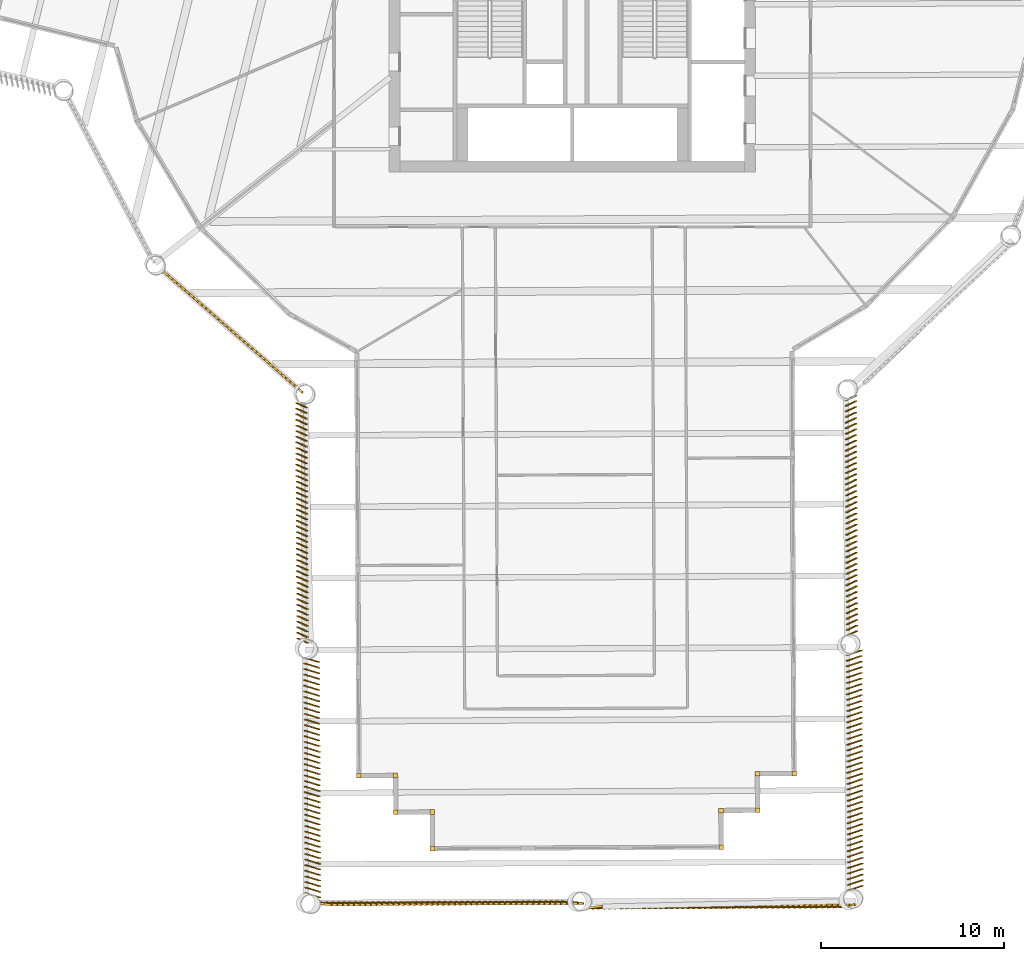
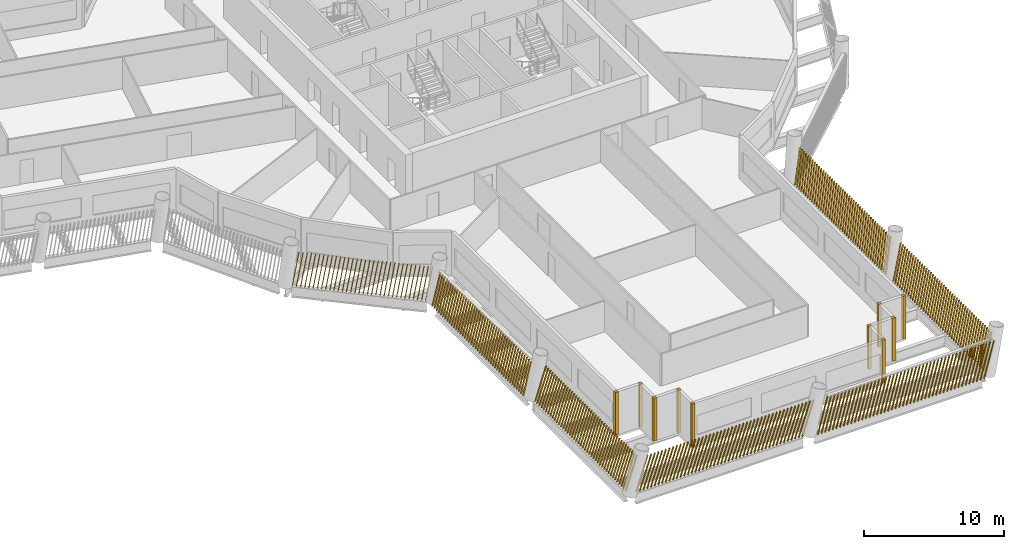
# One storey, part 11 of 15: 17 shading devices.
"""IFC4 building model written with IfcOpenShell, lengths in metres."""

import ifcopenshell
import ifcopenshell.guid

model = None  # the IFC model being written
_history = None  # IfcOwnerHistory: only IFC2X3 demands one
_inside = {}  # id of a spatial element -> (the spatial element, [elements in it])
_under = {}  # id of a project, library or spatial element -> (it, [spatial elements below it])
_declared = {}  # id of a project -> (the project, [libraries it declares])
_typed = {}  # id of a type object -> (the type object, [elements of that type])
_made_of = {}  # id of a material, layer set ... -> (it, [elements and type objects made of it])


def new_model(schema):
    """Start an empty IFC model of exactly this schema.

    Asked for "IFC4X3", IfcOpenShell would pick the latest addendum, in which some entities
    have other attributes; the version numbers below select the first issue.
    IFC2X3 requires an IfcOwnerHistory on every rooted entity: one is made here for all.
    """
    global model, _history
    if schema == "IFC4X3":
        model = ifcopenshell.file(schema_version=(4, 3, 0, 0))
    else:
        model = ifcopenshell.file(schema=schema)
    _inside.clear()
    _under.clear()
    _declared.clear()
    _typed.clear()
    _made_of.clear()
    _history = None
    if model.schema == "IFC2X3":
        org = make("IfcOrganization", Name="unknown")
        user = make(
            "IfcPersonAndOrganization",
            ThePerson=make("IfcPerson", FamilyName="unknown"),
            TheOrganization=org,
        )
        app = make(
            "IfcApplication",
            ApplicationDeveloper=org,
            Version="unknown",
            ApplicationFullName="unknown",
            ApplicationIdentifier="unknown",
        )
        _history = make(
            "IfcOwnerHistory",
            OwningUser=user,
            OwningApplication=app,
            ChangeAction="ADDED",
            CreationDate=0,
        )
    return model


def make(cls, **values):
    """One entity of the class cls with the attributes given. An attribute that is None is left unset."""
    return model.create_entity(
        cls, **{name: value for name, value in values.items() if value is not None}
    )


def rooted(cls, **values):
    """An entity with a GlobalId (a new one), such as an element, a storey or a relation."""
    return make(cls, GlobalId=ifcopenshell.guid.new(), OwnerHistory=_history, **values)


def si_unit(unit_type, name, prefix=None):
    """IfcSIUnit, for example si_unit("LENGTHUNIT", "METRE", prefix="MILLI")."""
    return make("IfcSIUnit", UnitType=unit_type, Prefix=prefix, Name=name)


def assignment(units):
    """IfcUnitAssignment: the units of a project."""
    return None if units is None else make("IfcUnitAssignment", Units=units)


def point(xyz):
    """IfcCartesianPoint."""
    return None if xyz is None else make("IfcCartesianPoint", Coordinates=xyz)


def direction(xyz):
    """IfcDirection."""
    return None if xyz is None else make("IfcDirection", DirectionRatios=xyz)


def frame(location, z_axis=None, x_axis=None):
    """IfcAxis2Placement3D, a coordinate frame: its origin and axes. An axis left out is left unset."""
    return make(
        "IfcAxis2Placement3D",
        Location=point(location),
        Axis=direction(z_axis),
        RefDirection=direction(x_axis),
    )


def frame_2d(location, x_axis=None):
    """IfcAxis2Placement2D, a coordinate frame in the plane: its origin and x axis."""
    return make(
        "IfcAxis2Placement2D", Location=point(location), RefDirection=direction(x_axis)
    )


def origin():
    """The frame at (0, 0, 0) with its axes left unset."""
    return frame((0.0, 0.0, 0.0))


def origin_2d():
    """The frame at (0, 0) in the plane with its x axis left unset."""
    return frame_2d((0.0, 0.0))


def place(relative_to, where):
    """IfcLocalPlacement: puts the frame where relative to a parent placement (None: the world)."""
    return make(
        "IfcLocalPlacement", PlacementRelTo=relative_to, RelativePlacement=where
    )


def context(
    kind, dimensions, precision=None, world=None, true_north=None, identifier=None
):
    """IfcGeometricRepresentationContext, for example the 3D "Model" context."""
    return make(
        "IfcGeometricRepresentationContext",
        ContextIdentifier=identifier,
        ContextType=kind,
        CoordinateSpaceDimension=dimensions,
        Precision=precision,
        WorldCoordinateSystem=world,
        TrueNorth=true_north,
    )


def subcontext(parent, identifier, kind, view, scale=None):
    """IfcGeometricRepresentationSubContext, for example "Body" below "Model"."""
    return make(
        "IfcGeometricRepresentationSubContext",
        ContextIdentifier=identifier,
        ContextType=kind,
        ParentContext=parent,
        TargetScale=scale,
        TargetView=view,
    )


def project(units=None, contexts=None):
    """IfcProject with its units and contexts."""
    return rooted(
        "IfcProject",
        Name="project",
        RepresentationContexts=contexts,
        UnitsInContext=assignment(units),
    )


def spatial(cls, under=None, at=None, **own):
    """A site, building, storey or space (cls), placed at a placement, below another one or the project."""
    s = rooted(cls, ObjectPlacement=at, **own)
    if under is not None:
        _under.setdefault(under.id(), (under, []))[1].append(s)
    return s


def profile(cls, at=None, kind="AREA", **sizes):
    """A parametric profile (cls). Its sizes go by their IFC names, for example OverallWidth=200.0."""
    return make(cls, ProfileType=kind, Position=at, **sizes)


def rectangle(**sizes):
    """IfcRectangleProfileDef."""
    return profile("IfcRectangleProfileDef", **sizes)


def composite_profile(profiles, kind="AREA"):
    """IfcCompositeProfileDef: several profiles as one."""
    return make("IfcCompositeProfileDef", ProfileType=kind, Profiles=profiles)


def extrude(swept, where, along, depth):
    """IfcExtrudedAreaSolid: the profile swept, set in the frame where, extruded along a direction by depth."""
    return make(
        "IfcExtrudedAreaSolid",
        SweptArea=swept,
        Position=where,
        ExtrudedDirection=direction(along),
        Depth=depth,
    )


def shape(context_of_items, identifier, shape_type, items):
    """IfcShapeRepresentation: the items that make up one representation, for example the "Body"."""
    return make(
        "IfcShapeRepresentation",
        ContextOfItems=context_of_items,
        RepresentationIdentifier=identifier,
        RepresentationType=shape_type,
        Items=items,
    )


def material(Name=None, Category=None):
    """IfcMaterial."""
    return make("IfcMaterial", Name=Name, Category=Category)


def made_of(thing, what):
    """Note that an element or type object is made of a material, layer set ...; save() writes the relation."""
    if what is not None:
        _made_of.setdefault(what.id(), (what, []))[1].append(thing)
    return thing


def type_object(cls, material=None, **own):
    """A type object (cls), such as IfcWallType, which elements share."""
    return made_of(rooted(cls, **own), material)


def element(
    cls,
    number,
    at=None,
    inside=None,
    cuts=None,
    type_object=None,
    material=None,
    context=None,
    identifier="Body",
    shape_type=None,
    held_by="IfcProductDefinitionShape",
    body=None,
    shapes=None,
    **own,
):
    """One element of the class cls, such as IfcWall. Its Tag is "e" and its number.

    at: its placement. inside: the storey or other place that contains it. cuts: it is an
    opening in that element (IfcRelVoidsElement). A single representation is given by context,
    identifier, shape_type and body (its items); several are given by shapes. held_by: the class
    of the entity that holds the representations. save() writes the other relations.
    """
    e = rooted(cls, Tag="e%d" % number, ObjectPlacement=at, **own)
    if body is not None:
        shapes = [shape(context, identifier, shape_type, body)]
    if shapes is not None:
        e.Representation = make(held_by, Representations=shapes)
    if inside is not None:
        _inside.setdefault(inside.id(), (inside, []))[1].append(e)
    if cuts is not None:
        rooted(
            "IfcRelVoidsElement", RelatingBuildingElement=cuts, RelatedOpeningElement=e
        )
    if type_object is not None:
        _typed.setdefault(type_object.id(), (type_object, []))[1].append(e)
    return made_of(e, material)


def aggregate(whole, parts):
    """IfcRelAggregates: a whole, such as a stair, and the parts it consists of."""
    return rooted("IfcRelAggregates", RelatingObject=whole, RelatedObjects=parts)


def save(model, path):
    """Write the relations noted so far, then the file.

    IfcRelAggregates (storeys below a building ...), IfcRelContainedInSpatialStructure (elements
    in a storey), IfcRelDefinesByType, IfcRelAssociatesMaterial and IfcRelDeclares: one each for
    every whole, place, type object, material and project.
    """
    for whole, parts in _under.values():
        aggregate(whole, parts)
    for where, things in _inside.values():
        rooted(
            "IfcRelContainedInSpatialStructure",
            RelatedElements=things,
            RelatingStructure=where,
        )
    for kind, things in _typed.values():
        rooted("IfcRelDefinesByType", RelatedObjects=things, RelatingType=kind)
    for what, things in _made_of.values():
        rooted("IfcRelAssociatesMaterial", RelatedObjects=things, RelatingMaterial=what)
    for by, libraries in _declared.values():
        rooted("IfcRelDeclares", RelatingContext=by, RelatedDefinitions=libraries)
    model.write(path)


model = new_model("IFC4")

# Units and contexts
model_context = context("Model", 3, precision=1e-05, world=origin(), true_north=direction((0.0, 1.0)))
body_context = subcontext(model_context, "Body", "Model", "MODEL_VIEW")
ifc_project = project(units=[si_unit("LENGTHUNIT", "METRE"), si_unit("AREAUNIT", "SQUARE_METRE"), si_unit("VOLUMEUNIT", "CUBIC_METRE"), si_unit("PLANEANGLEUNIT", "RADIAN"), si_unit("MASSUNIT", "GRAM", prefix="KILO")], contexts=[model_context])

# Site, building, storey
site_placement = place(None, origin())
site = spatial("IfcSite", under=ifc_project, at=site_placement, CompositionType="ELEMENT")
building_placement = place(site_placement, origin())
building = spatial("IfcBuilding", under=site, at=building_placement, Name="Tarsis Ring Headquarters", CompositionType="ELEMENT")
storey_placement = place(building_placement, frame((0.0, 0.0, 227.699951171875)))
storey = spatial("IfcBuildingStorey", under=building, at=storey_placement, Name="L53", CompositionType="ELEMENT", Elevation=227.699951171875)

# Shading devices
ifc_material = material(Name="Terracotta baguette", Category="masonry")
shading_device_type_1 = type_object("IfcShadingDeviceType", Name="Terracotta baguette screen", PredefinedType="USERDEFINED", material=ifc_material)
shading_device_1_placement = place(storey_placement, frame((-22.42578125, -18.323974609375, 0.0), z_axis=(0.0, 0.0, 1.0), x_axis=(0.754303560275, -0.656514678326, 0.0)))
element("IfcShadingDevice", 1, at=shading_device_1_placement, inside=storey, type_object=shading_device_type_1, Name="Baguette screen L53-00", ObjectType="Terracotta baguette screen", PredefinedType="USERDEFINED", context=body_context, shape_type="SweptSolid", body=[
    extrude(composite_profile([rectangle(XDim=0.06005859375, YDim=0.1201171875, at=frame_2d((0.030029296875, 0.0))), rectangle(XDim=0.06005859375, YDim=0.1201171875, at=frame_2d((0.33349609375, 0.0))), rectangle(XDim=0.06005859375, YDim=0.1201171875, at=frame_2d((0.636962890625, 0.0))), rectangle(XDim=0.06005859375, YDim=0.1201171875, at=frame_2d((0.9404296875, 0.0))), rectangle(XDim=0.06005859375, YDim=0.1201171875, at=frame_2d((1.243896484375, 0.0))), rectangle(XDim=0.06005859375, YDim=0.1201171875, at=frame_2d((1.54736328125, 0.0))), rectangle(XDim=0.06005859375, YDim=0.1201171875, at=frame_2d((1.85107421875, 0.0))), rectangle(XDim=0.06005859375, YDim=0.1201171875, at=frame_2d((2.154541015625, 0.0))), rectangle(XDim=0.06005859375, YDim=0.1201171875, at=frame_2d((2.4580078125, 0.0))), rectangle(XDim=0.06005859375, YDim=0.1201171875, at=frame_2d((2.761474609375, 0.0))), rectangle(XDim=0.06005859375, YDim=0.1201171875, at=frame_2d((3.06494140625, 0.0))), rectangle(XDim=0.06005859375, YDim=0.1201171875, at=frame_2d((3.368408203125, 0.0))), rectangle(XDim=0.06005859375, YDim=0.1201171875, at=frame_2d((3.671875, 0.0))), rectangle(XDim=0.06005859375, YDim=0.1201171875, at=frame_2d((3.975341796875, 0.0))), rectangle(XDim=0.06005859375, YDim=0.1201171875, at=frame_2d((4.27880859375, 0.0))), rectangle(XDim=0.06005859375, YDim=0.1201171875, at=frame_2d((4.582275390625, 0.0))), rectangle(XDim=0.06005859375, YDim=0.1201171875, at=frame_2d((4.8857421875, 0.0))), rectangle(XDim=0.06005859375, YDim=0.1201171875, at=frame_2d((5.189453125, 0.0))), rectangle(XDim=0.06005859375, YDim=0.1201171875, at=frame_2d((5.492919921875, 0.0))), rectangle(XDim=0.06005859375, YDim=0.1201171875, at=frame_2d((5.79638671875, 0.0))), rectangle(XDim=0.06005859375, YDim=0.1201171875, at=frame_2d((6.099853515625, 0.0))), rectangle(XDim=0.06005859375, YDim=0.1201171875, at=frame_2d((6.4033203125, 0.0))), rectangle(XDim=0.06005859375, YDim=0.1201171875, at=frame_2d((6.706787109375, 0.0))), rectangle(XDim=0.06005859375, YDim=0.1201171875, at=frame_2d((7.01025390625, 0.0))), rectangle(XDim=0.06005859375, YDim=0.1201171875, at=frame_2d((7.313720703125, 0.0))), rectangle(XDim=0.06005859375, YDim=0.1201171875, at=frame_2d((7.6171875, 0.0))), rectangle(XDim=0.06005859375, YDim=0.1201171875, at=frame_2d((7.920654296875, 0.0))), rectangle(XDim=0.06005859375, YDim=0.1201171875, at=frame_2d((8.224365234375, 0.0))), rectangle(XDim=0.06005859375, YDim=0.1201171875, at=frame_2d((8.52783203125, 0.0))), rectangle(XDim=0.06005859375, YDim=0.1201171875, at=frame_2d((8.831298828125, 0.0))), rectangle(XDim=0.06005859375, YDim=0.1201171875, at=frame_2d((9.134765625, 0.0))), rectangle(XDim=0.06005859375, YDim=0.1201171875, at=frame_2d((9.438232421875, 0.0))), rectangle(XDim=0.06005859375, YDim=0.1201171875, at=frame_2d((9.74169921875, 0.0)))]), origin(), (0.160031078948, 0.001340760949, 0.987111065752), 2.988525390625),
])
shading_device_2_placement = place(storey_placement, frame((-15.05029296875, -25.5693359375, 0.0), z_axis=(0.0, 0.0, 1.0), x_axis=(0.004900847714, -0.999981077808, 0.0)))
element("IfcShadingDevice", 2, at=shading_device_2_placement, inside=storey, type_object=shading_device_type_1, Name="Baguette screen L53-01", ObjectType="Terracotta baguette screen", PredefinedType="USERDEFINED", context=body_context, shape_type="SweptSolid", body=[
    extrude(composite_profile([rectangle(XDim=0.06005859375, YDim=0.1201171875, at=frame_2d((0.030029296875, 0.0))), rectangle(XDim=0.06005859375, YDim=0.1201171875, at=frame_2d((0.335693359375, 0.0))), rectangle(XDim=0.06005859375, YDim=0.1201171875, at=frame_2d((0.6416015625, 0.0))), rectangle(XDim=0.06005859375, YDim=0.1201171875, at=frame_2d((0.947265625, 0.0))), rectangle(XDim=0.06005859375, YDim=0.1201171875, at=frame_2d((1.253173828125, 0.0))), rectangle(XDim=0.06005859375, YDim=0.1201171875, at=frame_2d((1.558837890625, 0.0))), rectangle(XDim=0.06005859375, YDim=0.1201171875, at=frame_2d((1.864501953125, 0.0))), rectangle(XDim=0.06005859375, YDim=0.1201171875, at=frame_2d((2.17041015625, 0.0))), rectangle(XDim=0.06005859375, YDim=0.1201171875, at=frame_2d((2.47607421875, 0.0))), rectangle(XDim=0.06005859375, YDim=0.1201171875, at=frame_2d((2.781982421875, 0.0))), rectangle(XDim=0.06005859375, YDim=0.1201171875, at=frame_2d((3.087646484375, 0.0))), rectangle(XDim=0.06005859375, YDim=0.1201171875, at=frame_2d((3.393310546875, 0.0))), rectangle(XDim=0.06005859375, YDim=0.1201171875, at=frame_2d((3.69921875, 0.0))), rectangle(XDim=0.06005859375, YDim=0.1201171875, at=frame_2d((4.0048828125, 0.0))), rectangle(XDim=0.06005859375, YDim=0.1201171875, at=frame_2d((4.310791015625, 0.0))), rectangle(XDim=0.06005859375, YDim=0.1201171875, at=frame_2d((4.616455078125, 0.0))), rectangle(XDim=0.06005859375, YDim=0.1201171875, at=frame_2d((4.922119140625, 0.0))), rectangle(XDim=0.06005859375, YDim=0.1201171875, at=frame_2d((5.22802734375, 0.0))), rectangle(XDim=0.06005859375, YDim=0.1201171875, at=frame_2d((5.53369140625, 0.0))), rectangle(XDim=0.06005859375, YDim=0.1201171875, at=frame_2d((5.839599609375, 0.0))), rectangle(XDim=0.06005859375, YDim=0.1201171875, at=frame_2d((6.145263671875, 0.0))), rectangle(XDim=0.06005859375, YDim=0.1201171875, at=frame_2d((6.451171875, 0.0))), rectangle(XDim=0.06005859375, YDim=0.1201171875, at=frame_2d((6.7568359375, 0.0))), rectangle(XDim=0.06005859375, YDim=0.1201171875, at=frame_2d((7.0625, 0.0))), rectangle(XDim=0.06005859375, YDim=0.1201171875, at=frame_2d((7.368408203125, 0.0))), rectangle(XDim=0.06005859375, YDim=0.1201171875, at=frame_2d((7.674072265625, 0.0))), rectangle(XDim=0.06005859375, YDim=0.1201171875, at=frame_2d((7.97998046875, 0.0))), rectangle(XDim=0.06005859375, YDim=0.1201171875, at=frame_2d((8.28564453125, 0.0))), rectangle(XDim=0.06005859375, YDim=0.1201171875, at=frame_2d((8.59130859375, 0.0))), rectangle(XDim=0.06005859375, YDim=0.1201171875, at=frame_2d((8.897216796875, 0.0))), rectangle(XDim=0.06005859375, YDim=0.1201171875, at=frame_2d((9.202880859375, 0.0))), rectangle(XDim=0.06005859375, YDim=0.1201171875, at=frame_2d((9.5087890625, 0.0))), rectangle(XDim=0.06005859375, YDim=0.1201171875, at=frame_2d((9.814453125, 0.0))), rectangle(XDim=0.06005859375, YDim=0.1201171875, at=frame_2d((10.1201171875, 0.0))), rectangle(XDim=0.06005859375, YDim=0.1201171875, at=frame_2d((10.426025390625, 0.0))), rectangle(XDim=0.06005859375, YDim=0.1201171875, at=frame_2d((10.731689453125, 0.0))), rectangle(XDim=0.06005859375, YDim=0.1201171875, at=frame_2d((11.03759765625, 0.0))), rectangle(XDim=0.06005859375, YDim=0.1201171875, at=frame_2d((11.34326171875, 0.0))), rectangle(XDim=0.06005859375, YDim=0.1201171875, at=frame_2d((11.64892578125, 0.0))), rectangle(XDim=0.06005859375, YDim=0.1201171875, at=frame_2d((11.954833984375, 0.0))), rectangle(XDim=0.06005859375, YDim=0.1201171875, at=frame_2d((12.260498046875, 0.0))), rectangle(XDim=0.06005859375, YDim=0.1201171875, at=frame_2d((12.56640625, 0.0))), rectangle(XDim=0.06005859375, YDim=0.1201171875, at=frame_2d((12.8720703125, 0.0)))]), origin(), (0.083010563833, 0.178594537893, 0.980414829206), 3.0087890625),
])
shading_device_3_placement = place(storey_placement, frame((-14.607177734375, -39.4697265625, 0.0), z_axis=(0.0, 0.0, 1.0), x_axis=(0.004882017901, -0.99998107745, 0.0)))
element("IfcShadingDevice", 3, at=shading_device_3_placement, inside=storey, type_object=shading_device_type_1, Name="Baguette screen L53-02", ObjectType="Terracotta baguette screen", PredefinedType="USERDEFINED", context=body_context, shape_type="SweptSolid", body=[
    extrude(composite_profile([rectangle(XDim=0.06005859375, YDim=0.1201171875, at=frame_2d((0.030029296875, 0.0))), rectangle(XDim=0.06005859375, YDim=0.1201171875, at=frame_2d((0.335693359375, 0.0))), rectangle(XDim=0.06005859375, YDim=0.1201171875, at=frame_2d((0.6416015625, 0.0))), rectangle(XDim=0.06005859375, YDim=0.1201171875, at=frame_2d((0.947265625, 0.0))), rectangle(XDim=0.06005859375, YDim=0.1201171875, at=frame_2d((1.253173828125, 0.0))), rectangle(XDim=0.06005859375, YDim=0.1201171875, at=frame_2d((1.558837890625, 0.0))), rectangle(XDim=0.06005859375, YDim=0.1201171875, at=frame_2d((1.864501953125, 0.0))), rectangle(XDim=0.06005859375, YDim=0.1201171875, at=frame_2d((2.17041015625, 0.0))), rectangle(XDim=0.06005859375, YDim=0.1201171875, at=frame_2d((2.47607421875, 0.0))), rectangle(XDim=0.06005859375, YDim=0.1201171875, at=frame_2d((2.781982421875, 0.0))), rectangle(XDim=0.06005859375, YDim=0.1201171875, at=frame_2d((3.087646484375, 0.0))), rectangle(XDim=0.06005859375, YDim=0.1201171875, at=frame_2d((3.393310546875, 0.0))), rectangle(XDim=0.06005859375, YDim=0.1201171875, at=frame_2d((3.69921875, 0.0))), rectangle(XDim=0.06005859375, YDim=0.1201171875, at=frame_2d((4.0048828125, 0.0))), rectangle(XDim=0.06005859375, YDim=0.1201171875, at=frame_2d((4.310791015625, 0.0))), rectangle(XDim=0.06005859375, YDim=0.1201171875, at=frame_2d((4.616455078125, 0.0))), rectangle(XDim=0.06005859375, YDim=0.1201171875, at=frame_2d((4.922119140625, 0.0))), rectangle(XDim=0.06005859375, YDim=0.1201171875, at=frame_2d((5.22802734375, 0.0))), rectangle(XDim=0.06005859375, YDim=0.1201171875, at=frame_2d((5.53369140625, 0.0))), rectangle(XDim=0.06005859375, YDim=0.1201171875, at=frame_2d((5.839599609375, 0.0))), rectangle(XDim=0.06005859375, YDim=0.1201171875, at=frame_2d((6.145263671875, 0.0))), rectangle(XDim=0.06005859375, YDim=0.1201171875, at=frame_2d((6.451171875, 0.0))), rectangle(XDim=0.06005859375, YDim=0.1201171875, at=frame_2d((6.7568359375, 0.0))), rectangle(XDim=0.06005859375, YDim=0.1201171875, at=frame_2d((7.0625, 0.0))), rectangle(XDim=0.06005859375, YDim=0.1201171875, at=frame_2d((7.368408203125, 0.0))), rectangle(XDim=0.06005859375, YDim=0.1201171875, at=frame_2d((7.674072265625, 0.0))), rectangle(XDim=0.06005859375, YDim=0.1201171875, at=frame_2d((7.97998046875, 0.0))), rectangle(XDim=0.06005859375, YDim=0.1201171875, at=frame_2d((8.28564453125, 0.0))), rectangle(XDim=0.06005859375, YDim=0.1201171875, at=frame_2d((8.59130859375, 0.0))), rectangle(XDim=0.06005859375, YDim=0.1201171875, at=frame_2d((8.897216796875, 0.0))), rectangle(XDim=0.06005859375, YDim=0.1201171875, at=frame_2d((9.202880859375, 0.0))), rectangle(XDim=0.06005859375, YDim=0.1201171875, at=frame_2d((9.5087890625, 0.0))), rectangle(XDim=0.06005859375, YDim=0.1201171875, at=frame_2d((9.814453125, 0.0))), rectangle(XDim=0.06005859375, YDim=0.1201171875, at=frame_2d((10.1201171875, 0.0))), rectangle(XDim=0.06005859375, YDim=0.1201171875, at=frame_2d((10.426025390625, 0.0))), rectangle(XDim=0.06005859375, YDim=0.1201171875, at=frame_2d((10.731689453125, 0.0))), rectangle(XDim=0.06005859375, YDim=0.1201171875, at=frame_2d((11.03759765625, 0.0))), rectangle(XDim=0.06005859375, YDim=0.1201171875, at=frame_2d((11.34326171875, 0.0))), rectangle(XDim=0.06005859375, YDim=0.1201171875, at=frame_2d((11.64892578125, 0.0))), rectangle(XDim=0.06005859375, YDim=0.1201171875, at=frame_2d((11.954833984375, 0.0))), rectangle(XDim=0.06005859375, YDim=0.1201171875, at=frame_2d((12.260498046875, 0.0))), rectangle(XDim=0.06005859375, YDim=0.1201171875, at=frame_2d((12.56640625, 0.0))), rectangle(XDim=0.06005859375, YDim=0.1201171875, at=frame_2d((12.8720703125, 0.0)))]), origin(), (0.078970523714, 0.251845154865, 0.964540136208), 3.058349609375),
])
shading_device_4_placement = place(storey_placement, frame((-14.041748046875, -52.869140625, 0.0), z_axis=(0.0, 0.0, 1.0), x_axis=(0.999982308713, 0.004882795223, 0.0)))
element("IfcShadingDevice", 4, at=shading_device_4_placement, inside=storey, type_object=shading_device_type_1, Name="Baguette screen L53-03", ObjectType="Terracotta baguette screen", PredefinedType="USERDEFINED", context=body_context, shape_type="SweptSolid", body=[
    extrude(composite_profile([rectangle(XDim=0.06005859375, YDim=0.1201171875, at=frame_2d((0.030029296875, 0.0))), rectangle(XDim=0.06005859375, YDim=0.1201171875, at=frame_2d((0.33544921875, 0.0))), rectangle(XDim=0.06005859375, YDim=0.1201171875, at=frame_2d((0.640625, 0.0))), rectangle(XDim=0.06005859375, YDim=0.1201171875, at=frame_2d((0.946044921875, 0.0))), rectangle(XDim=0.06005859375, YDim=0.1201171875, at=frame_2d((1.25146484375, 0.0))), rectangle(XDim=0.06005859375, YDim=0.1201171875, at=frame_2d((1.556640625, 0.0))), rectangle(XDim=0.06005859375, YDim=0.1201171875, at=frame_2d((1.862060546875, 0.0))), rectangle(XDim=0.06005859375, YDim=0.1201171875, at=frame_2d((2.16748046875, 0.0))), rectangle(XDim=0.06005859375, YDim=0.1201171875, at=frame_2d((2.47265625, 0.0))), rectangle(XDim=0.06005859375, YDim=0.1201171875, at=frame_2d((2.778076171875, 0.0))), rectangle(XDim=0.06005859375, YDim=0.1201171875, at=frame_2d((3.08349609375, 0.0))), rectangle(XDim=0.06005859375, YDim=0.1201171875, at=frame_2d((3.388671875, 0.0))), rectangle(XDim=0.06005859375, YDim=0.1201171875, at=frame_2d((3.694091796875, 0.0))), rectangle(XDim=0.06005859375, YDim=0.1201171875, at=frame_2d((3.99951171875, 0.0))), rectangle(XDim=0.06005859375, YDim=0.1201171875, at=frame_2d((4.3046875, 0.0))), rectangle(XDim=0.06005859375, YDim=0.1201171875, at=frame_2d((4.610107421875, 0.0))), rectangle(XDim=0.06005859375, YDim=0.1201171875, at=frame_2d((4.91552734375, 0.0))), rectangle(XDim=0.06005859375, YDim=0.1201171875, at=frame_2d((5.220703125, 0.0))), rectangle(XDim=0.06005859375, YDim=0.1201171875, at=frame_2d((5.526123046875, 0.0))), rectangle(XDim=0.06005859375, YDim=0.1201171875, at=frame_2d((5.83154296875, 0.0))), rectangle(XDim=0.06005859375, YDim=0.1201171875, at=frame_2d((6.13671875, 0.0))), rectangle(XDim=0.06005859375, YDim=0.1201171875, at=frame_2d((6.442138671875, 0.0))), rectangle(XDim=0.06005859375, YDim=0.1201171875, at=frame_2d((6.74755859375, 0.0))), rectangle(XDim=0.06005859375, YDim=0.1201171875, at=frame_2d((7.052734375, 0.0))), rectangle(XDim=0.06005859375, YDim=0.1201171875, at=frame_2d((7.358154296875, 0.0))), rectangle(XDim=0.06005859375, YDim=0.1201171875, at=frame_2d((7.66357421875, 0.0))), rectangle(XDim=0.06005859375, YDim=0.1201171875, at=frame_2d((7.96875, 0.0))), rectangle(XDim=0.06005859375, YDim=0.1201171875, at=frame_2d((8.274169921875, 0.0))), rectangle(XDim=0.06005859375, YDim=0.1201171875, at=frame_2d((8.57958984375, 0.0))), rectangle(XDim=0.06005859375, YDim=0.1201171875, at=frame_2d((8.884765625, 0.0))), rectangle(XDim=0.06005859375, YDim=0.1201171875, at=frame_2d((9.190185546875, 0.0))), rectangle(XDim=0.06005859375, YDim=0.1201171875, at=frame_2d((9.49560546875, 0.0))), rectangle(XDim=0.06005859375, YDim=0.1201171875, at=frame_2d((9.80078125, 0.0))), rectangle(XDim=0.06005859375, YDim=0.1201171875, at=frame_2d((10.106201171875, 0.0))), rectangle(XDim=0.06005859375, YDim=0.1201171875, at=frame_2d((10.41162109375, 0.0))), rectangle(XDim=0.06005859375, YDim=0.1201171875, at=frame_2d((10.716796875, 0.0))), rectangle(XDim=0.06005859375, YDim=0.1201171875, at=frame_2d((11.022216796875, 0.0))), rectangle(XDim=0.06005859375, YDim=0.1201171875, at=frame_2d((11.32763671875, 0.0))), rectangle(XDim=0.06005859375, YDim=0.1201171875, at=frame_2d((11.6328125, 0.0))), rectangle(XDim=0.06005859375, YDim=0.1201171875, at=frame_2d((11.938232421875, 0.0))), rectangle(XDim=0.06005859375, YDim=0.1201171875, at=frame_2d((12.24365234375, 0.0))), rectangle(XDim=0.06005859375, YDim=0.1201171875, at=frame_2d((12.548828125, 0.0))), rectangle(XDim=0.06005859375, YDim=0.1201171875, at=frame_2d((12.854248046875, 0.0))), rectangle(XDim=0.06005859375, YDim=0.1201171875, at=frame_2d((13.15966796875, 0.0))), rectangle(XDim=0.06005859375, YDim=0.1201171875, at=frame_2d((13.46484375, 0.0))), rectangle(XDim=0.06005859375, YDim=0.1201171875, at=frame_2d((13.770263671875, 0.0)))]), origin(), (0.287344991827, -0.037818692941, 0.957080248535), 3.082275390625),
])
shading_device_5_placement = place(storey_placement, frame((0.759765625, -53.171875, 0.0), z_axis=(0.0, 0.0, 1.0), x_axis=(0.999982308713, 0.004882795223, 0.0)))
element("IfcShadingDevice", 5, at=shading_device_5_placement, inside=storey, type_object=shading_device_type_1, Name="Baguette screen L53-04", ObjectType="Terracotta baguette screen", PredefinedType="USERDEFINED", context=body_context, shape_type="SweptSolid", body=[
    extrude(composite_profile([rectangle(XDim=0.06005859375, YDim=0.1201171875, at=frame_2d((0.030029296875, 0.0))), rectangle(XDim=0.06005859375, YDim=0.1201171875, at=frame_2d((0.33544921875, 0.0))), rectangle(XDim=0.06005859375, YDim=0.1201171875, at=frame_2d((0.640625, 0.0))), rectangle(XDim=0.06005859375, YDim=0.1201171875, at=frame_2d((0.946044921875, 0.0))), rectangle(XDim=0.06005859375, YDim=0.1201171875, at=frame_2d((1.25146484375, 0.0))), rectangle(XDim=0.06005859375, YDim=0.1201171875, at=frame_2d((1.556640625, 0.0))), rectangle(XDim=0.06005859375, YDim=0.1201171875, at=frame_2d((1.862060546875, 0.0))), rectangle(XDim=0.06005859375, YDim=0.1201171875, at=frame_2d((2.16748046875, 0.0))), rectangle(XDim=0.06005859375, YDim=0.1201171875, at=frame_2d((2.47265625, 0.0))), rectangle(XDim=0.06005859375, YDim=0.1201171875, at=frame_2d((2.778076171875, 0.0))), rectangle(XDim=0.06005859375, YDim=0.1201171875, at=frame_2d((3.08349609375, 0.0))), rectangle(XDim=0.06005859375, YDim=0.1201171875, at=frame_2d((3.388671875, 0.0))), rectangle(XDim=0.06005859375, YDim=0.1201171875, at=frame_2d((3.694091796875, 0.0))), rectangle(XDim=0.06005859375, YDim=0.1201171875, at=frame_2d((3.99951171875, 0.0))), rectangle(XDim=0.06005859375, YDim=0.1201171875, at=frame_2d((4.3046875, 0.0))), rectangle(XDim=0.06005859375, YDim=0.1201171875, at=frame_2d((4.610107421875, 0.0))), rectangle(XDim=0.06005859375, YDim=0.1201171875, at=frame_2d((4.91552734375, 0.0))), rectangle(XDim=0.06005859375, YDim=0.1201171875, at=frame_2d((5.220703125, 0.0))), rectangle(XDim=0.06005859375, YDim=0.1201171875, at=frame_2d((5.526123046875, 0.0))), rectangle(XDim=0.06005859375, YDim=0.1201171875, at=frame_2d((5.83154296875, 0.0))), rectangle(XDim=0.06005859375, YDim=0.1201171875, at=frame_2d((6.13671875, 0.0))), rectangle(XDim=0.06005859375, YDim=0.1201171875, at=frame_2d((6.442138671875, 0.0))), rectangle(XDim=0.06005859375, YDim=0.1201171875, at=frame_2d((6.74755859375, 0.0))), rectangle(XDim=0.06005859375, YDim=0.1201171875, at=frame_2d((7.052734375, 0.0))), rectangle(XDim=0.06005859375, YDim=0.1201171875, at=frame_2d((7.358154296875, 0.0))), rectangle(XDim=0.06005859375, YDim=0.1201171875, at=frame_2d((7.66357421875, 0.0))), rectangle(XDim=0.06005859375, YDim=0.1201171875, at=frame_2d((7.96875, 0.0))), rectangle(XDim=0.06005859375, YDim=0.1201171875, at=frame_2d((8.274169921875, 0.0))), rectangle(XDim=0.06005859375, YDim=0.1201171875, at=frame_2d((8.57958984375, 0.0))), rectangle(XDim=0.06005859375, YDim=0.1201171875, at=frame_2d((8.884765625, 0.0))), rectangle(XDim=0.06005859375, YDim=0.1201171875, at=frame_2d((9.190185546875, 0.0))), rectangle(XDim=0.06005859375, YDim=0.1201171875, at=frame_2d((9.49560546875, 0.0))), rectangle(XDim=0.06005859375, YDim=0.1201171875, at=frame_2d((9.80078125, 0.0))), rectangle(XDim=0.06005859375, YDim=0.1201171875, at=frame_2d((10.106201171875, 0.0))), rectangle(XDim=0.06005859375, YDim=0.1201171875, at=frame_2d((10.41162109375, 0.0))), rectangle(XDim=0.06005859375, YDim=0.1201171875, at=frame_2d((10.716796875, 0.0))), rectangle(XDim=0.06005859375, YDim=0.1201171875, at=frame_2d((11.022216796875, 0.0))), rectangle(XDim=0.06005859375, YDim=0.1201171875, at=frame_2d((11.32763671875, 0.0))), rectangle(XDim=0.06005859375, YDim=0.1201171875, at=frame_2d((11.6328125, 0.0))), rectangle(XDim=0.06005859375, YDim=0.1201171875, at=frame_2d((11.938232421875, 0.0))), rectangle(XDim=0.06005859375, YDim=0.1201171875, at=frame_2d((12.24365234375, 0.0))), rectangle(XDim=0.06005859375, YDim=0.1201171875, at=frame_2d((12.548828125, 0.0))), rectangle(XDim=0.06005859375, YDim=0.1201171875, at=frame_2d((12.854248046875, 0.0))), rectangle(XDim=0.06005859375, YDim=0.1201171875, at=frame_2d((13.15966796875, 0.0))), rectangle(XDim=0.06005859375, YDim=0.1201171875, at=frame_2d((13.46484375, 0.0))), rectangle(XDim=0.06005859375, YDim=0.1201171875, at=frame_2d((13.770263671875, 0.0)))]), origin(), (0.288539590002, 0.042622439104, 0.956518809374), 3.083984375),
])
shading_device_6_placement = place(storey_placement, frame((15.055419921875, -52.22705078125, 0.0), z_axis=(0.0, 0.0, 1.0), x_axis=(-0.004881925522, 0.999981077808, 0.0)))
element("IfcShadingDevice", 6, at=shading_device_6_placement, inside=storey, type_object=shading_device_type_1, Name="Baguette screen L53-05", ObjectType="Terracotta baguette screen", PredefinedType="USERDEFINED", context=body_context, shape_type="SweptSolid", body=[
    extrude(composite_profile([rectangle(XDim=0.06005859375, YDim=0.1201171875, at=frame_2d((0.030029296875, 0.0))), rectangle(XDim=0.06005859375, YDim=0.1201171875, at=frame_2d((0.335693359375, 0.0))), rectangle(XDim=0.06005859375, YDim=0.1201171875, at=frame_2d((0.6416015625, 0.0))), rectangle(XDim=0.06005859375, YDim=0.1201171875, at=frame_2d((0.947265625, 0.0))), rectangle(XDim=0.06005859375, YDim=0.1201171875, at=frame_2d((1.253173828125, 0.0))), rectangle(XDim=0.06005859375, YDim=0.1201171875, at=frame_2d((1.558837890625, 0.0))), rectangle(XDim=0.06005859375, YDim=0.1201171875, at=frame_2d((1.864501953125, 0.0))), rectangle(XDim=0.06005859375, YDim=0.1201171875, at=frame_2d((2.17041015625, 0.0))), rectangle(XDim=0.06005859375, YDim=0.1201171875, at=frame_2d((2.47607421875, 0.0))), rectangle(XDim=0.06005859375, YDim=0.1201171875, at=frame_2d((2.781982421875, 0.0))), rectangle(XDim=0.06005859375, YDim=0.1201171875, at=frame_2d((3.087646484375, 0.0))), rectangle(XDim=0.06005859375, YDim=0.1201171875, at=frame_2d((3.393310546875, 0.0))), rectangle(XDim=0.06005859375, YDim=0.1201171875, at=frame_2d((3.69921875, 0.0))), rectangle(XDim=0.06005859375, YDim=0.1201171875, at=frame_2d((4.0048828125, 0.0))), rectangle(XDim=0.06005859375, YDim=0.1201171875, at=frame_2d((4.310791015625, 0.0))), rectangle(XDim=0.06005859375, YDim=0.1201171875, at=frame_2d((4.616455078125, 0.0))), rectangle(XDim=0.06005859375, YDim=0.1201171875, at=frame_2d((4.922119140625, 0.0))), rectangle(XDim=0.06005859375, YDim=0.1201171875, at=frame_2d((5.22802734375, 0.0))), rectangle(XDim=0.06005859375, YDim=0.1201171875, at=frame_2d((5.53369140625, 0.0))), rectangle(XDim=0.06005859375, YDim=0.1201171875, at=frame_2d((5.839599609375, 0.0))), rectangle(XDim=0.06005859375, YDim=0.1201171875, at=frame_2d((6.145263671875, 0.0))), rectangle(XDim=0.06005859375, YDim=0.1201171875, at=frame_2d((6.451171875, 0.0))), rectangle(XDim=0.06005859375, YDim=0.1201171875, at=frame_2d((6.7568359375, 0.0))), rectangle(XDim=0.06005859375, YDim=0.1201171875, at=frame_2d((7.0625, 0.0))), rectangle(XDim=0.06005859375, YDim=0.1201171875, at=frame_2d((7.368408203125, 0.0))), rectangle(XDim=0.06005859375, YDim=0.1201171875, at=frame_2d((7.674072265625, 0.0))), rectangle(XDim=0.06005859375, YDim=0.1201171875, at=frame_2d((7.97998046875, 0.0))), rectangle(XDim=0.06005859375, YDim=0.1201171875, at=frame_2d((8.28564453125, 0.0))), rectangle(XDim=0.06005859375, YDim=0.1201171875, at=frame_2d((8.59130859375, 0.0))), rectangle(XDim=0.06005859375, YDim=0.1201171875, at=frame_2d((8.897216796875, 0.0))), rectangle(XDim=0.06005859375, YDim=0.1201171875, at=frame_2d((9.202880859375, 0.0))), rectangle(XDim=0.06005859375, YDim=0.1201171875, at=frame_2d((9.5087890625, 0.0))), rectangle(XDim=0.06005859375, YDim=0.1201171875, at=frame_2d((9.814453125, 0.0))), rectangle(XDim=0.06005859375, YDim=0.1201171875, at=frame_2d((10.1201171875, 0.0))), rectangle(XDim=0.06005859375, YDim=0.1201171875, at=frame_2d((10.426025390625, 0.0))), rectangle(XDim=0.06005859375, YDim=0.1201171875, at=frame_2d((10.731689453125, 0.0))), rectangle(XDim=0.06005859375, YDim=0.1201171875, at=frame_2d((11.03759765625, 0.0))), rectangle(XDim=0.06005859375, YDim=0.1201171875, at=frame_2d((11.34326171875, 0.0))), rectangle(XDim=0.06005859375, YDim=0.1201171875, at=frame_2d((11.64892578125, 0.0))), rectangle(XDim=0.06005859375, YDim=0.1201171875, at=frame_2d((11.954833984375, 0.0))), rectangle(XDim=0.06005859375, YDim=0.1201171875, at=frame_2d((12.260498046875, 0.0))), rectangle(XDim=0.06005859375, YDim=0.1201171875, at=frame_2d((12.56640625, 0.0))), rectangle(XDim=0.06005859375, YDim=0.1201171875, at=frame_2d((12.8720703125, 0.0)))]), origin(), (0.083181758749, -0.250485665226, 0.964540163253), 3.058349609375),
])
shading_device_7_placement = place(storey_placement, frame((14.987548828125, -38.324951171875, 0.0), z_axis=(0.0, 0.0, 1.0), x_axis=(-0.004900847714, 0.999981077808, 0.0)))
element("IfcShadingDevice", 7, at=shading_device_7_placement, inside=storey, type_object=shading_device_type_1, Name="Baguette screen L53-06", ObjectType="Terracotta baguette screen", PredefinedType="USERDEFINED", context=body_context, shape_type="SweptSolid", body=[
    extrude(composite_profile([rectangle(XDim=0.06005859375, YDim=0.1201171875, at=frame_2d((0.030029296875, 0.0))), rectangle(XDim=0.06005859375, YDim=0.1201171875, at=frame_2d((0.335693359375, 0.0))), rectangle(XDim=0.06005859375, YDim=0.1201171875, at=frame_2d((0.6416015625, 0.0))), rectangle(XDim=0.06005859375, YDim=0.1201171875, at=frame_2d((0.947265625, 0.0))), rectangle(XDim=0.06005859375, YDim=0.1201171875, at=frame_2d((1.253173828125, 0.0))), rectangle(XDim=0.06005859375, YDim=0.1201171875, at=frame_2d((1.558837890625, 0.0))), rectangle(XDim=0.06005859375, YDim=0.1201171875, at=frame_2d((1.864501953125, 0.0))), rectangle(XDim=0.06005859375, YDim=0.1201171875, at=frame_2d((2.17041015625, 0.0))), rectangle(XDim=0.06005859375, YDim=0.1201171875, at=frame_2d((2.47607421875, 0.0))), rectangle(XDim=0.06005859375, YDim=0.1201171875, at=frame_2d((2.781982421875, 0.0))), rectangle(XDim=0.06005859375, YDim=0.1201171875, at=frame_2d((3.087646484375, 0.0))), rectangle(XDim=0.06005859375, YDim=0.1201171875, at=frame_2d((3.393310546875, 0.0))), rectangle(XDim=0.06005859375, YDim=0.1201171875, at=frame_2d((3.69921875, 0.0))), rectangle(XDim=0.06005859375, YDim=0.1201171875, at=frame_2d((4.0048828125, 0.0))), rectangle(XDim=0.06005859375, YDim=0.1201171875, at=frame_2d((4.310791015625, 0.0))), rectangle(XDim=0.06005859375, YDim=0.1201171875, at=frame_2d((4.616455078125, 0.0))), rectangle(XDim=0.06005859375, YDim=0.1201171875, at=frame_2d((4.922119140625, 0.0))), rectangle(XDim=0.06005859375, YDim=0.1201171875, at=frame_2d((5.22802734375, 0.0))), rectangle(XDim=0.06005859375, YDim=0.1201171875, at=frame_2d((5.53369140625, 0.0))), rectangle(XDim=0.06005859375, YDim=0.1201171875, at=frame_2d((5.839599609375, 0.0))), rectangle(XDim=0.06005859375, YDim=0.1201171875, at=frame_2d((6.145263671875, 0.0))), rectangle(XDim=0.06005859375, YDim=0.1201171875, at=frame_2d((6.451171875, 0.0))), rectangle(XDim=0.06005859375, YDim=0.1201171875, at=frame_2d((6.7568359375, 0.0))), rectangle(XDim=0.06005859375, YDim=0.1201171875, at=frame_2d((7.0625, 0.0))), rectangle(XDim=0.06005859375, YDim=0.1201171875, at=frame_2d((7.368408203125, 0.0))), rectangle(XDim=0.06005859375, YDim=0.1201171875, at=frame_2d((7.674072265625, 0.0))), rectangle(XDim=0.06005859375, YDim=0.1201171875, at=frame_2d((7.97998046875, 0.0))), rectangle(XDim=0.06005859375, YDim=0.1201171875, at=frame_2d((8.28564453125, 0.0))), rectangle(XDim=0.06005859375, YDim=0.1201171875, at=frame_2d((8.59130859375, 0.0))), rectangle(XDim=0.06005859375, YDim=0.1201171875, at=frame_2d((8.897216796875, 0.0))), rectangle(XDim=0.06005859375, YDim=0.1201171875, at=frame_2d((9.202880859375, 0.0))), rectangle(XDim=0.06005859375, YDim=0.1201171875, at=frame_2d((9.5087890625, 0.0))), rectangle(XDim=0.06005859375, YDim=0.1201171875, at=frame_2d((9.814453125, 0.0))), rectangle(XDim=0.06005859375, YDim=0.1201171875, at=frame_2d((10.1201171875, 0.0))), rectangle(XDim=0.06005859375, YDim=0.1201171875, at=frame_2d((10.426025390625, 0.0))), rectangle(XDim=0.06005859375, YDim=0.1201171875, at=frame_2d((10.731689453125, 0.0))), rectangle(XDim=0.06005859375, YDim=0.1201171875, at=frame_2d((11.03759765625, 0.0))), rectangle(XDim=0.06005859375, YDim=0.1201171875, at=frame_2d((11.34326171875, 0.0))), rectangle(XDim=0.06005859375, YDim=0.1201171875, at=frame_2d((11.64892578125, 0.0))), rectangle(XDim=0.06005859375, YDim=0.1201171875, at=frame_2d((11.954833984375, 0.0))), rectangle(XDim=0.06005859375, YDim=0.1201171875, at=frame_2d((12.260498046875, 0.0))), rectangle(XDim=0.06005859375, YDim=0.1201171875, at=frame_2d((12.56640625, 0.0))), rectangle(XDim=0.06005859375, YDim=0.1201171875, at=frame_2d((12.8720703125, 0.0)))]), origin(), (0.083912695276, -0.177229316802, 0.980585758023), 3.00830078125),
])
shading_device_type_2 = type_object("IfcShadingDeviceType", Name="Terracotta corner baguette 250x250", PredefinedType="USERDEFINED", material=ifc_material)
for number, where, z_axis, x_axis, name in (
    (8, (-11.650634765625, -45.932373046875, 0.0), (0.0, 0.0, 1.0), (0.00488693736, -0.99998805885, 0.0), "Corner baguette L53-07"),
    (9, (-9.650634765625, -45.922607421875, 0.0), (0.0, 0.0, 1.0), (0.999988058509, 0.004887007173, 0.0), "Corner baguette L53-08"),
    (10, (-9.640869140625, -47.922607421875, 0.0), (0.0, 0.0, 1.0), (0.004887007173, -0.999988058509, 0.0), "Corner baguette L53-09"),
    (11, (-7.640869140625, -47.912841796875, 0.0), (0.0, 0.0, 1.0), (0.999988060983, 0.004886501033, 0.0), "Corner baguette L53-10"),
    (12, (-7.631103515625, -49.912841796875, 0.0), (0.0, 0.0, 1.0), (0.004887495859, -0.999988056121, 0.0), "Corner baguette L53-11"),
    (13, (8.11865234375, -49.8359375, 0.0), (0.0, 0.0, 1.0), (0.999988059191, 0.004886867548, 0.0), "Corner baguette L53-12"),
    (14, (8.10888671875, -47.8359375, 0.0), (0.0, 0.0, 1.0), (-0.004886501033, 0.999988060983, 0.0), "Corner baguette L53-13"),
    (15, (10.10888671875, -47.826171875, 0.0), (0.0, 0.0, 1.0), (0.999988058509, 0.004887007173, 0.0), "Corner baguette L53-14"),
    (16, (10.09912109375, -45.826171875, 0.0), (0.0, 0.0, 1.0), (-0.004886989719, 0.999988058594, 0.0), "Corner baguette L53-15"),
    (17, (12.09912109375, -45.81640625, 0.0), (0.0, 0.0, 1.0), (0.999988060983, 0.004886501033, 0.0), "Corner baguette L53-16"),
):
    element("IfcShadingDevice", number, at=place(storey_placement, frame(where, z_axis=z_axis, x_axis=x_axis)), inside=storey, type_object=shading_device_type_2, Name=name, ObjectType="Terracotta corner baguette", PredefinedType="USERDEFINED", context=body_context, shape_type="SweptSolid", body=[
        extrude(rectangle(XDim=0.25, YDim=0.25, at=origin_2d()), origin(), (0.0, 0.0, 1.0), 3.739990234375),
    ])

save(model, "model.ifc")
